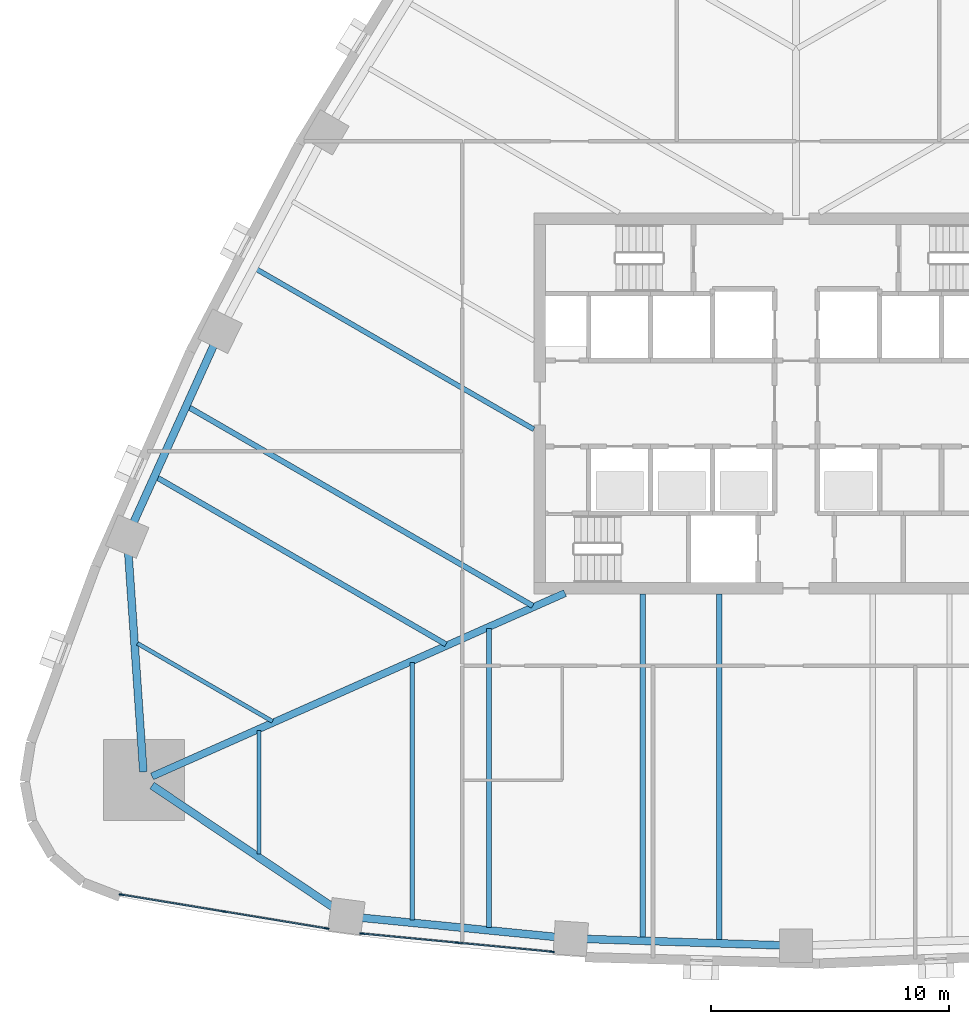
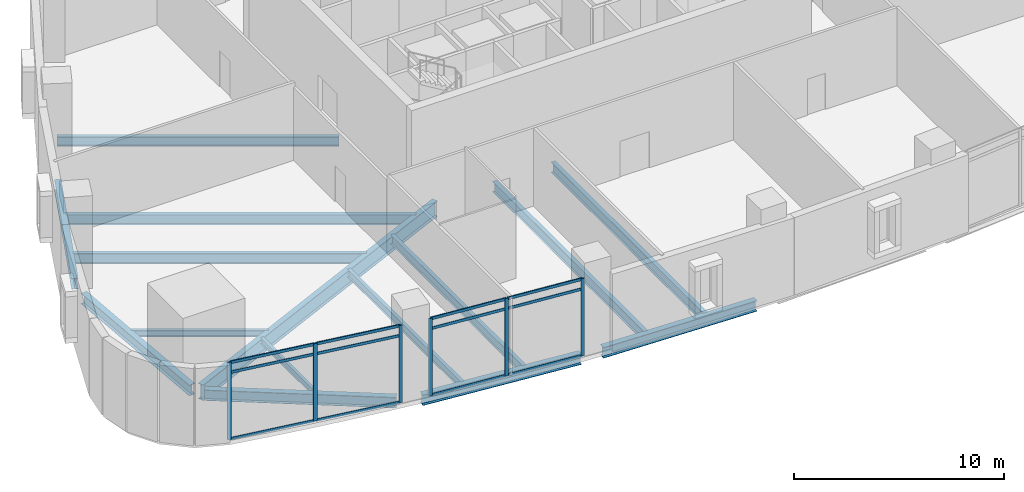
# One storey, part 2 of 14: 18 members, 15 beams, 2 elements without a shape of their own.
"""IFC4 building model written with IfcOpenShell, lengths in metres."""

from ifc_helpers import new_model, si_unit, direction, frame, origin, origin_2d, place, context, subcontext, project, spatial, rectangle, i_section, extrude, material, layer, layer_set, material_profile, profile_set, type_object, element, aggregate, save


model = new_model("IFC4")

# Units and contexts
model_context = context("Model", 3, precision=1e-05, world=origin(), true_north=direction((0.0, 1.0)))
body_context = subcontext(model_context, "Body", "Model", "MODEL_VIEW")
ifc_project = project(units=[si_unit("LENGTHUNIT", "METRE"), si_unit("AREAUNIT", "SQUARE_METRE"), si_unit("VOLUMEUNIT", "CUBIC_METRE"), si_unit("PLANEANGLEUNIT", "RADIAN"), si_unit("MASSUNIT", "GRAM", prefix="KILO")], contexts=[model_context])

# Site, building, storey
site_placement = place(None, origin())
site = spatial("IfcSite", under=ifc_project, at=site_placement, CompositionType="ELEMENT")
building_placement = place(site_placement, origin())
building = spatial("IfcBuilding", under=site, at=building_placement, Name="Sierra Prisma Convention Tower", CompositionType="ELEMENT")
storey_placement = place(building_placement, frame((0.0, 0.0, 16.800048828125)))
storey = spatial("IfcBuildingStorey", under=building, at=storey_placement, Name="L02", CompositionType="ELEMENT", Elevation=16.800048828125)

# Curtain wall, members
ifc_material_1 = material(Name="Aluminium, bronze anodised", Category="aluminium")
ifc_layer = layer(ifc_material_1, 0.199951171875)
ifc_layer_set = layer_set([ifc_layer], Name="CW-3 curtain wall")
curtain_wall_type = type_object("IfcCurtainWallType", Name="CW-3 curtain wall", PredefinedType="NOTDEFINED", material=ifc_layer_set)
curtain_wall_1_placement = place(storey_placement, origin())
curtain_wall_1 = element("IfcCurtainWall", 1, at=curtain_wall_1_placement, inside=storey, type_object=curtain_wall_type, Name="CW-3 curtain wall", PredefinedType="NOTDEFINED")
ifc_material_2 = material(Name="Aluminium, bronze anodised", Category="aluminium")
ifc_material_profile_1 = material_profile(ifc_material_2, rectangle(XDim=0.06005859375, YDim=0.199951171875, at=origin_2d()), Name="CW-3 mullion 60 x 200")
ifc_profile_set_1 = profile_set([ifc_material_profile_1], Name="Aluminium, bronze anodised")
member_type_1 = type_object("IfcMemberType", Name="CW-3 mullion 60 x 200", PredefinedType="MULLION", material=ifc_profile_set_1)
member_1_placement = place(storey_placement, frame((-19.6884765625, -22.019287109375, 0.0), z_axis=(0.0, 0.0, 1.0), x_axis=(-0.162541549863, -0.986701699891, 0.0)))
member_1 = element("IfcMember", 2, at=member_1_placement, type_object=member_type_1, Name="CW-3 mullion 1", PredefinedType="MULLION", context=body_context, shape_type="SweptSolid", body=[
    extrude(rectangle(XDim=0.06005859375, YDim=0.199951171875, at=origin_2d()), origin(), (0.0, 0.0, 1.0), 4.5),
])
member_2_placement = place(storey_placement, frame((-23.9931640625, -21.31005859375, 0.0), z_axis=(0.0, 0.0, 1.0), x_axis=(-0.162541549863, -0.986701699891, 0.0)))
member_2 = element("IfcMember", 3, at=member_2_placement, type_object=member_type_1, Name="CW-3 mullion 2", PredefinedType="MULLION", context=body_context, shape_type="SweptSolid", body=[
    extrude(rectangle(XDim=0.06005859375, YDim=0.199951171875, at=origin_2d()), origin(), (0.0, 0.0, 1.0), 4.5),
])
member_3_placement = place(storey_placement, frame((-28.2978515625, -20.60107421875, 0.0), z_axis=(0.0, 0.0, 1.0), x_axis=(-0.162541549863, -0.986701699891, 0.0)))
member_3 = element("IfcMember", 4, at=member_3_placement, type_object=member_type_1, Name="CW-3 mullion 3", PredefinedType="MULLION", context=body_context, shape_type="SweptSolid", body=[
    extrude(rectangle(XDim=0.06005859375, YDim=0.199951171875, at=origin_2d()), origin(), (0.0, 0.0, 1.0), 4.5),
])

curtain_wall_2_placement = place(storey_placement, origin())
curtain_wall_2 = element("IfcCurtainWall", 5, at=curtain_wall_2_placement, inside=storey, type_object=curtain_wall_type, Name="CW-3 curtain wall", PredefinedType="NOTDEFINED")
member_4_placement = place(storey_placement, frame((-10.239990234375, -22.99560546875, 0.0), z_axis=(0.0, 0.0, 1.0), x_axis=(-0.095074832848, -0.99547012821, 0.0)))
member_4 = element("IfcMember", 6, at=member_4_placement, type_object=member_type_1, Name="CW-3 mullion 1", PredefinedType="MULLION", context=body_context, shape_type="SweptSolid", body=[
    extrude(rectangle(XDim=0.06005859375, YDim=0.199951171875, at=origin_2d()), origin(), (0.0, 0.0, 1.0), 4.5),
])
member_5_placement = place(storey_placement, frame((-14.2177734375, -22.61572265625, 0.0), z_axis=(0.0, 0.0, 1.0), x_axis=(-0.095074832848, -0.99547012821, 0.0)))
member_5 = element("IfcMember", 7, at=member_5_placement, type_object=member_type_1, Name="CW-3 mullion 2", PredefinedType="MULLION", context=body_context, shape_type="SweptSolid", body=[
    extrude(rectangle(XDim=0.06005859375, YDim=0.199951171875, at=origin_2d()), origin(), (0.0, 0.0, 1.0), 4.5),
])
member_6_placement = place(storey_placement, frame((-18.1953125, -22.23583984375, 0.0), z_axis=(0.0, 0.0, 1.0), x_axis=(-0.095074832848, -0.99547012821, 0.0)))
member_6 = element("IfcMember", 8, at=member_6_placement, type_object=member_type_1, Name="CW-3 mullion 3", PredefinedType="MULLION", context=body_context, shape_type="SweptSolid", body=[
    extrude(rectangle(XDim=0.06005859375, YDim=0.199951171875, at=origin_2d()), origin(), (0.0, 0.0, 1.0), 4.5),
])

# Member
ifc_material_3 = material(Name="Aluminium, bronze anodised", Category="aluminium")
ifc_material_profile_2 = material_profile(ifc_material_3, rectangle(XDim=0.06005859375, YDim=0.159912109375, at=origin_2d()), Name="CW-3 transom 60 x 160")
ifc_profile_set_2 = profile_set([ifc_material_profile_2], Name="Aluminium, bronze anodised")
member_type_2 = type_object("IfcMemberType", Name="CW-3 transom 60 x 160", PredefinedType="USERDEFINED", material=ifc_profile_set_2)
member_7_placement = place(storey_placement, frame((-19.718017578125, -22.014404296875, 0.030029296875), z_axis=(-0.986698907001, 0.16255850308, 0.0), x_axis=(-0.16255850308, -0.986698907001, 0.0)))
member_7 = element("IfcMember", 9, at=member_7_placement, type_object=member_type_2, Name="CW-3 transom 1.1", ObjectType="TRANSOM", PredefinedType="USERDEFINED", context=body_context, shape_type="SweptSolid", body=[
    extrude(rectangle(XDim=0.06005859375, YDim=0.159912109375, at=origin_2d()), origin(), (0.0, 0.0, 1.0), 4.302734375),
])

member_8_placement = place(storey_placement, frame((-19.718017578125, -22.014404296875, 3.89990234375), z_axis=(-0.986698907001, 0.16255850308, 0.0), x_axis=(-0.16255850308, -0.986698907001, 0.0)))
member_8 = element("IfcMember", 10, at=member_8_placement, type_object=member_type_2, Name="CW-3 transom 1.2", ObjectType="TRANSOM", PredefinedType="USERDEFINED", context=body_context, shape_type="SweptSolid", body=[
    extrude(rectangle(XDim=0.06005859375, YDim=0.159912109375, at=origin_2d()), origin(), (0.0, 0.0, 1.0), 4.302734375),
])

member_9_placement = place(storey_placement, frame((-19.718017578125, -22.014404296875, 4.469970703125), z_axis=(-0.986698907001, 0.16255850308, 0.0), x_axis=(-0.16255850308, -0.986698907001, 0.0)))
member_9 = element("IfcMember", 11, at=member_9_placement, type_object=member_type_2, Name="CW-3 transom 1.3", ObjectType="TRANSOM", PredefinedType="USERDEFINED", context=body_context, shape_type="SweptSolid", body=[
    extrude(rectangle(XDim=0.06005859375, YDim=0.159912109375, at=origin_2d()), origin(), (0.0, 0.0, 1.0), 4.302734375),
])

member_10_placement = place(storey_placement, frame((-24.022705078125, -21.30517578125, 0.030029296875), z_axis=(-0.986706507859, 0.162512360602, 0.0), x_axis=(-0.162512360602, -0.986706507859, 0.0)))
member_10 = element("IfcMember", 12, at=member_10_placement, type_object=member_type_2, Name="CW-3 transom 2.1", ObjectType="TRANSOM", PredefinedType="USERDEFINED", context=body_context, shape_type="SweptSolid", body=[
    extrude(rectangle(XDim=0.06005859375, YDim=0.159912109375, at=origin_2d()), origin(), (0.0, 0.0, 1.0), 4.302490234375),
])

member_11_placement = place(storey_placement, frame((-24.022705078125, -21.30517578125, 3.89990234375), z_axis=(-0.986706507859, 0.162512360602, 0.0), x_axis=(-0.162512360602, -0.986706507859, 0.0)))
member_11 = element("IfcMember", 13, at=member_11_placement, type_object=member_type_2, Name="CW-3 transom 2.2", ObjectType="TRANSOM", PredefinedType="USERDEFINED", context=body_context, shape_type="SweptSolid", body=[
    extrude(rectangle(XDim=0.06005859375, YDim=0.159912109375, at=origin_2d()), origin(), (0.0, 0.0, 1.0), 4.302490234375),
])

member_12_placement = place(storey_placement, frame((-24.022705078125, -21.30517578125, 4.469970703125), z_axis=(-0.986706507859, 0.162512360602, 0.0), x_axis=(-0.162512360602, -0.986706507859, 0.0)))
member_12 = element("IfcMember", 14, at=member_12_placement, type_object=member_type_2, Name="CW-3 transom 2.3", ObjectType="TRANSOM", PredefinedType="USERDEFINED", context=body_context, shape_type="SweptSolid", body=[
    extrude(rectangle(XDim=0.06005859375, YDim=0.159912109375, at=origin_2d()), origin(), (0.0, 0.0, 1.0), 4.302490234375),
])

aggregate(curtain_wall_1, [member_1, member_2, member_3, member_7, member_8, member_9, member_10, member_11, member_12])

member_13_placement = place(storey_placement, frame((-10.27001953125, -22.99267578125, 0.030029296875), z_axis=(-0.995473699347, 0.095037434249, 0.0), x_axis=(-0.095037434249, -0.995473699347, 0.0)))
member_13 = element("IfcMember", 15, at=member_13_placement, type_object=member_type_2, Name="CW-3 transom 1.1", ObjectType="TRANSOM", PredefinedType="USERDEFINED", context=body_context, shape_type="SweptSolid", body=[
    extrude(rectangle(XDim=0.06005859375, YDim=0.159912109375, at=origin_2d()), origin(), (0.0, 0.0, 1.0), 3.935546875),
])

member_14_placement = place(storey_placement, frame((-10.27001953125, -22.99267578125, 3.89990234375), z_axis=(-0.995473699347, 0.095037434249, 0.0), x_axis=(-0.095037434249, -0.995473699347, 0.0)))
member_14 = element("IfcMember", 16, at=member_14_placement, type_object=member_type_2, Name="CW-3 transom 1.2", ObjectType="TRANSOM", PredefinedType="USERDEFINED", context=body_context, shape_type="SweptSolid", body=[
    extrude(rectangle(XDim=0.06005859375, YDim=0.159912109375, at=origin_2d()), origin(), (0.0, 0.0, 1.0), 3.935546875),
])

member_15_placement = place(storey_placement, frame((-10.27001953125, -22.99267578125, 4.469970703125), z_axis=(-0.995473699347, 0.095037434249, 0.0), x_axis=(-0.095037434249, -0.995473699347, 0.0)))
member_15 = element("IfcMember", 17, at=member_15_placement, type_object=member_type_2, Name="CW-3 transom 1.3", ObjectType="TRANSOM", PredefinedType="USERDEFINED", context=body_context, shape_type="SweptSolid", body=[
    extrude(rectangle(XDim=0.06005859375, YDim=0.159912109375, at=origin_2d()), origin(), (0.0, 0.0, 1.0), 3.935546875),
])

member_16_placement = place(storey_placement, frame((-14.24755859375, -22.61279296875, 0.030029296875), z_axis=(-0.995474259601, 0.09503156566, 0.0), x_axis=(-0.09503156566, -0.995474259601, 0.0)))
member_16 = element("IfcMember", 18, at=member_16_placement, type_object=member_type_2, Name="CW-3 transom 2.1", ObjectType="TRANSOM", PredefinedType="USERDEFINED", context=body_context, shape_type="SweptSolid", body=[
    extrude(rectangle(XDim=0.06005859375, YDim=0.159912109375, at=origin_2d()), origin(), (0.0, 0.0, 1.0), 3.935791015625),
])

member_17_placement = place(storey_placement, frame((-14.24755859375, -22.61279296875, 3.89990234375), z_axis=(-0.995474259601, 0.09503156566, 0.0), x_axis=(-0.09503156566, -0.995474259601, 0.0)))
member_17 = element("IfcMember", 19, at=member_17_placement, type_object=member_type_2, Name="CW-3 transom 2.2", ObjectType="TRANSOM", PredefinedType="USERDEFINED", context=body_context, shape_type="SweptSolid", body=[
    extrude(rectangle(XDim=0.06005859375, YDim=0.159912109375, at=origin_2d()), origin(), (0.0, 0.0, 1.0), 3.935791015625),
])

member_18_placement = place(storey_placement, frame((-14.24755859375, -22.61279296875, 4.469970703125), z_axis=(-0.995474259601, 0.09503156566, 0.0), x_axis=(-0.09503156566, -0.995474259601, 0.0)))
member_18 = element("IfcMember", 20, at=member_18_placement, type_object=member_type_2, Name="CW-3 transom 2.3", ObjectType="TRANSOM", PredefinedType="USERDEFINED", context=body_context, shape_type="SweptSolid", body=[
    extrude(rectangle(XDim=0.06005859375, YDim=0.159912109375, at=origin_2d()), origin(), (0.0, 0.0, 1.0), 3.935791015625),
])

aggregate(curtain_wall_2, [member_4, member_5, member_6, member_13, member_14, member_15, member_16, member_17, member_18])

# Beams
ifc_material_4 = material(Name="Steel ASTM A992 Gr 50", Category="steel")
ifc_material_profile_3 = material_profile(ifc_material_4, i_section(OverallWidth=0.172119140625, OverallDepth=0.35791015625, WebThickness=0.0078125, FlangeThickness=0.01318359375, at=origin_2d()), Name="W360x57")
ifc_profile_set_3 = profile_set([ifc_material_profile_3], Name="Steel ASTM A992 Gr 50")
beam_type_1 = type_object("IfcBeamType", Name="Floor joist W360x57", PredefinedType="JOIST", material=ifc_profile_set_3)
beam_1_placement = place(storey_placement, frame((-22.52783203125, -18.89501953125, -0.428955078125), z_axis=(0.0, 1.0, 0.0), x_axis=(-1.0, 0.0, 0.0)))
element("IfcBeam", 21, at=beam_1_placement, inside=storey, type_object=beam_type_1, Name="Floor joist L02 S02", PredefinedType="JOIST", context=body_context, shape_type="SweptSolid", body=[
    extrude(i_section(OverallWidth=0.172119140625, OverallDepth=0.35791015625, WebThickness=0.0078125, FlangeThickness=0.01318359375, at=origin_2d()), origin(), (0.0, 0.0, 1.0), 5.177978515625),
])
beam_2_placement = place(storey_placement, frame((-27.62744140625, -10.06201171875, -0.428955078125), z_axis=(0.866022747659, -0.500004600516, 0.0), x_axis=(0.500004600516, 0.866022747659, 0.0)))
element("IfcBeam", 22, at=beam_2_placement, inside=storey, type_object=beam_type_1, Name="Floor joist L02 NW16", PredefinedType="JOIST", context=body_context, shape_type="SweptSolid", body=[
    extrude(i_section(OverallWidth=0.172119140625, OverallDepth=0.35791015625, WebThickness=0.0078125, FlangeThickness=0.01318359375, at=origin_2d()), origin(), (0.0, 0.0, 1.0), 6.54150390625),
])
ifc_material_5 = material(Name="Steel ASTM A992 Gr 50", Category="steel")
ifc_material_profile_4 = material_profile(ifc_material_5, i_section(OverallWidth=0.18994140625, OverallDepth=0.45703125, WebThickness=0.009033203125, FlangeThickness=0.014404296875, at=origin_2d()), Name="W460x74")
ifc_profile_set_4 = profile_set([ifc_material_profile_4], Name="Steel ASTM A992 Gr 50")
beam_type_2 = type_object("IfcBeamType", Name="Floor joist W460x74", PredefinedType="JOIST", material=ifc_profile_set_4)
beam_3_placement = place(storey_placement, frame((-16.09130859375, -21.6689453125, -0.478515625), z_axis=(0.0, 1.0, 0.0), x_axis=(-1.0, 0.0, 0.0)))
element("IfcBeam", 23, at=beam_3_placement, inside=storey, type_object=beam_type_2, Name="Floor joist L02 S04", PredefinedType="JOIST", context=body_context, shape_type="SweptSolid", body=[
    extrude(i_section(OverallWidth=0.18994140625, OverallDepth=0.45703125, WebThickness=0.009033203125, FlangeThickness=0.014404296875, at=origin_2d()), origin(), (0.0, 0.0, 1.0), 10.8095703125),
])
ifc_material_6 = material(Name="Steel ASTM A992 Gr 50", Category="steel")
ifc_material_profile_5 = material_profile(ifc_material_6, i_section(OverallWidth=0.208984375, OverallDepth=0.532958984375, WebThickness=0.01025390625, FlangeThickness=0.015625, at=origin_2d()), Name="W530x92")
ifc_profile_set_5 = profile_set([ifc_material_profile_5], Name="Steel ASTM A992 Gr 50")
beam_type_3 = type_object("IfcBeamType", Name="Floor joist W530x92", PredefinedType="JOIST", material=ifc_profile_set_5)
beam_4_placement = place(storey_placement, frame((-12.873046875, -21.9873046875, -0.5166015625), z_axis=(0.0, 1.0, 0.0), x_axis=(-1.0, 0.0, 0.0)))
element("IfcBeam", 24, at=beam_4_placement, inside=storey, type_object=beam_type_3, Name="Floor joist L02 S05", PredefinedType="JOIST", context=body_context, shape_type="SweptSolid", body=[
    extrude(i_section(OverallWidth=0.208984375, OverallDepth=0.532958984375, WebThickness=0.01025390625, FlangeThickness=0.015625, at=origin_2d()), origin(), (0.0, 0.0, 1.0), 12.556640625),
])
beam_5_placement = place(storey_placement, frame((-22.639404296875, 5.638671875, -0.5166015625), z_axis=(0.866026773083, -0.499997628298, 0.0), x_axis=(0.499997628298, 0.866026773083, 0.0)))
element("IfcBeam", 25, at=beam_5_placement, inside=storey, type_object=beam_type_3, Name="Floor joist L02 NW11", PredefinedType="JOIST", context=body_context, shape_type="SweptSolid", body=[
    extrude(i_section(OverallWidth=0.208984375, OverallDepth=0.532958984375, WebThickness=0.01025390625, FlangeThickness=0.015625, at=origin_2d()), origin(), (0.0, 0.0, 1.0), 13.43994140625),
])
ifc_material_7 = material(Name="Steel ASTM A992 Gr 50", Category="steel")
ifc_material_profile_6 = material_profile(ifc_material_7, i_section(OverallWidth=0.22802734375, OverallDepth=0.60302734375, WebThickness=0.010498046875, FlangeThickness=0.014892578125, at=origin_2d()), Name="W610x101")
ifc_profile_set_6 = profile_set([ifc_material_profile_6], Name="Steel ASTM A992 Gr 50")
beam_type_4 = type_object("IfcBeamType", Name="Floor joist W610x101", PredefinedType="JOIST", material=ifc_profile_set_6)
beam_6_placement = place(storey_placement, frame((-6.4365234375, -22.42578125, -0.551513671875), z_axis=(0.0, 1.0, 0.0), x_axis=(-1.0, 0.0, 0.0)))
element("IfcBeam", 26, at=beam_6_placement, inside=storey, type_object=beam_type_4, Name="Floor joist L02 S07", PredefinedType="JOIST", context=body_context, shape_type="SweptSolid", body=[
    extrude(i_section(OverallWidth=0.22802734375, OverallDepth=0.60302734375, WebThickness=0.010498046875, FlangeThickness=0.014892578125, at=origin_2d()), origin(), (0.0, 0.0, 1.0), 14.42578125),
])
beam_7_placement = place(storey_placement, frame((-3.21826171875, -22.531494140625, -0.551513671875), z_axis=(0.0, 1.0, 0.0), x_axis=(-1.0, 0.0, 0.0)))
element("IfcBeam", 27, at=beam_7_placement, inside=storey, type_object=beam_type_4, Name="Floor joist L02 S08", PredefinedType="JOIST", context=body_context, shape_type="SweptSolid", body=[
    extrude(i_section(OverallWidth=0.22802734375, OverallDepth=0.60302734375, WebThickness=0.010498046875, FlangeThickness=0.014892578125, at=origin_2d()), origin(), (0.0, 0.0, 1.0), 14.531494140625),
])
beam_8_placement = place(storey_placement, frame((-25.47802734375, -0.15478515625, -0.551513671875), z_axis=(0.866027491634, -0.499996383721, 0.0), x_axis=(0.499996383721, 0.866027491634, 0.0)))
element("IfcBeam", 28, at=beam_8_placement, inside=storey, type_object=beam_type_4, Name="Floor joist L02 NW13", PredefinedType="JOIST", context=body_context, shape_type="SweptSolid", body=[
    extrude(i_section(OverallWidth=0.22802734375, OverallDepth=0.60302734375, WebThickness=0.010498046875, FlangeThickness=0.014892578125, at=origin_2d()), origin(), (0.0, 0.0, 1.0), 16.6640625),
])
beam_9_placement = place(storey_placement, frame((-26.8115234375, -3.10107421875, -0.551513671875), z_axis=(0.866032862007, -0.499987081758, 0.0), x_axis=(0.499987081758, 0.866032862007, 0.0)))
element("IfcBeam", 29, at=beam_9_placement, inside=storey, type_object=beam_type_4, Name="Floor joist L02 NW14", PredefinedType="JOIST", context=body_context, shape_type="SweptSolid", body=[
    extrude(i_section(OverallWidth=0.22802734375, OverallDepth=0.60302734375, WebThickness=0.010498046875, FlangeThickness=0.014892578125, at=origin_2d()), origin(), (0.0, 0.0, 1.0), 14.002197265625),
])
ifc_material_8 = material(Name="Steel ASTM A992 Gr 50", Category="steel")
ifc_material_profile_7 = material_profile(ifc_material_8, i_section(OverallWidth=0.303955078125, OverallDepth=0.903076171875, WebThickness=0.01513671875, FlangeThickness=0.02001953125, at=origin_2d()), Name="W920x201")
ifc_profile_set_7 = profile_set([ifc_material_profile_7], Name="Steel ASTM A992 Gr 50")
beam_type_5 = type_object("IfcBeamType", Name="Radial girder W920x201", PredefinedType="BEAM", material=ifc_profile_set_7)
beam_10_placement = place(storey_placement, frame((-27.01513671875, -15.642578125, -0.70166015625), z_axis=(0.91398196052, 0.405754822331, 0.0), x_axis=(-0.405754822331, 0.91398196052, 0.0)))
element("IfcBeam", 30, at=beam_10_placement, inside=storey, type_object=beam_type_5, Name="Radial girder L02 SW", PredefinedType="BEAM", context=body_context, shape_type="SweptSolid", body=[
    extrude(i_section(OverallWidth=0.303955078125, OverallDepth=0.903076171875, WebThickness=0.01513671875, FlangeThickness=0.02001953125, at=origin_2d()), origin(), (0.0, 0.0, 1.0), 18.955078125),
])
ifc_material_9 = material(Name="Steel ASTM A992 Gr 50", Category="steel")
ifc_material_profile_8 = material_profile(ifc_material_9, i_section(OverallWidth=0.324951171875, OverallDepth=0.615966796875, WebThickness=0.013916015625, FlangeThickness=0.021484375, at=origin_2d()), Name="W610x174")
ifc_profile_set_8 = profile_set([ifc_material_profile_8], Name="Steel ASTM A992 Gr 50")
beam_type_6 = type_object("IfcBeamType", Name="Spandrel beam W610x174", PredefinedType="BEAM", material=ifc_profile_set_8)
beam_11_placement = place(storey_placement, frame((-27.01513671875, -16.022216796875, -0.55810546875), z_axis=(0.829740498665, -0.558149357139, 0.0), x_axis=(0.558149357139, 0.829740498665, 0.0)))
element("IfcBeam", 31, at=beam_11_placement, inside=storey, type_object=beam_type_6, Name="Spandrel L02-01", PredefinedType="BEAM", context=body_context, shape_type="SweptSolid", body=[
    extrude(i_section(OverallWidth=0.324951171875, OverallDepth=0.615966796875, WebThickness=0.013916015625, FlangeThickness=0.021484375, at=origin_2d()), origin(), (0.0, 0.0, 1.0), 9.167236328125),
])
beam_12_placement = place(storey_placement, frame((-18.2822265625, -21.5654296875, -0.55810546875), z_axis=(0.99514126278, -0.098457438079, 0.0), x_axis=(0.098457438079, 0.99514126278, 0.0)))
element("IfcBeam", 32, at=beam_12_placement, inside=storey, type_object=beam_type_6, Name="Spandrel L02-02", PredefinedType="BEAM", context=body_context, shape_type="SweptSolid", body=[
    extrude(i_section(OverallWidth=0.324951171875, OverallDepth=0.615966796875, WebThickness=0.013916015625, FlangeThickness=0.021484375, at=origin_2d()), origin(), (0.0, 0.0, 1.0), 8.29443359375),
])
for number, where, z_axis, x_axis, name in (
    (33, (-8.870361328125, -22.458251953125, -0.55810546875), (0.999459413184, -0.032876760742, 0.0), (0.032876760742, 0.999459413184, 0.0), "Spandrel L02-03"),
    (34, (-24.3974609375, 2.506591796875, -0.55810546875), (-0.41230108384, -0.911047647637, 0.0), (0.911047647637, -0.41230108384, 0.0), "Spandrel L02-17"),
):
    element("IfcBeam", number, at=place(storey_placement, frame(where, z_axis=z_axis, x_axis=x_axis)), inside=storey, type_object=beam_type_6, Name=name, PredefinedType="BEAM", context=body_context, shape_type="SweptSolid", body=[
        extrude(i_section(OverallWidth=0.324951171875, OverallDepth=0.615966796875, WebThickness=0.013916015625, FlangeThickness=0.021484375, at=origin_2d()), origin(), (0.0, 0.0, 1.0), 8.294677734375),
    ])
beam_13_placement = place(storey_placement, frame((-28.01123046875, -6.239013671875, -0.55810546875), z_axis=(0.06851541914, -0.997650057555, 0.0), x_axis=(0.997650057555, 0.06851541914, 0.0)))
element("IfcBeam", 35, at=beam_13_placement, inside=storey, type_object=beam_type_6, Name="Spandrel L02-18", PredefinedType="BEAM", context=body_context, shape_type="SweptSolid", body=[
    extrude(i_section(OverallWidth=0.324951171875, OverallDepth=0.615966796875, WebThickness=0.013916015625, FlangeThickness=0.021484375, at=origin_2d()), origin(), (0.0, 0.0, 1.0), 9.236083984375),
])

save(model, "model.ifc")
